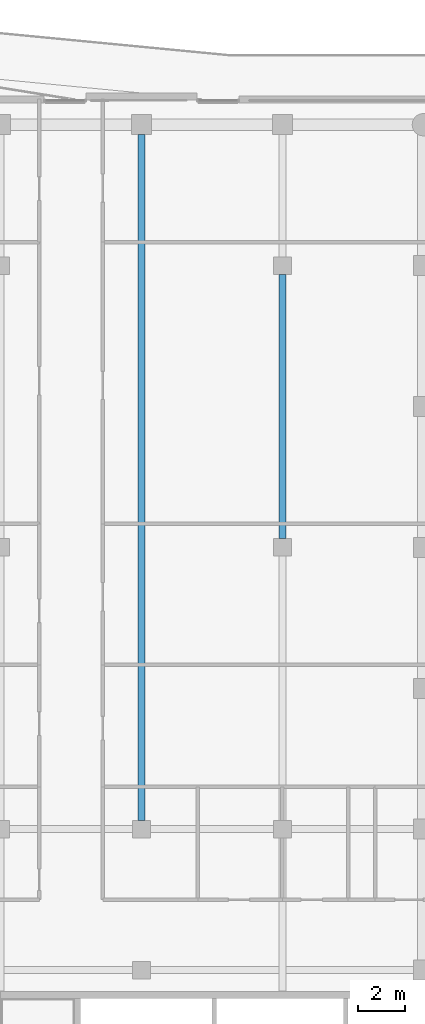
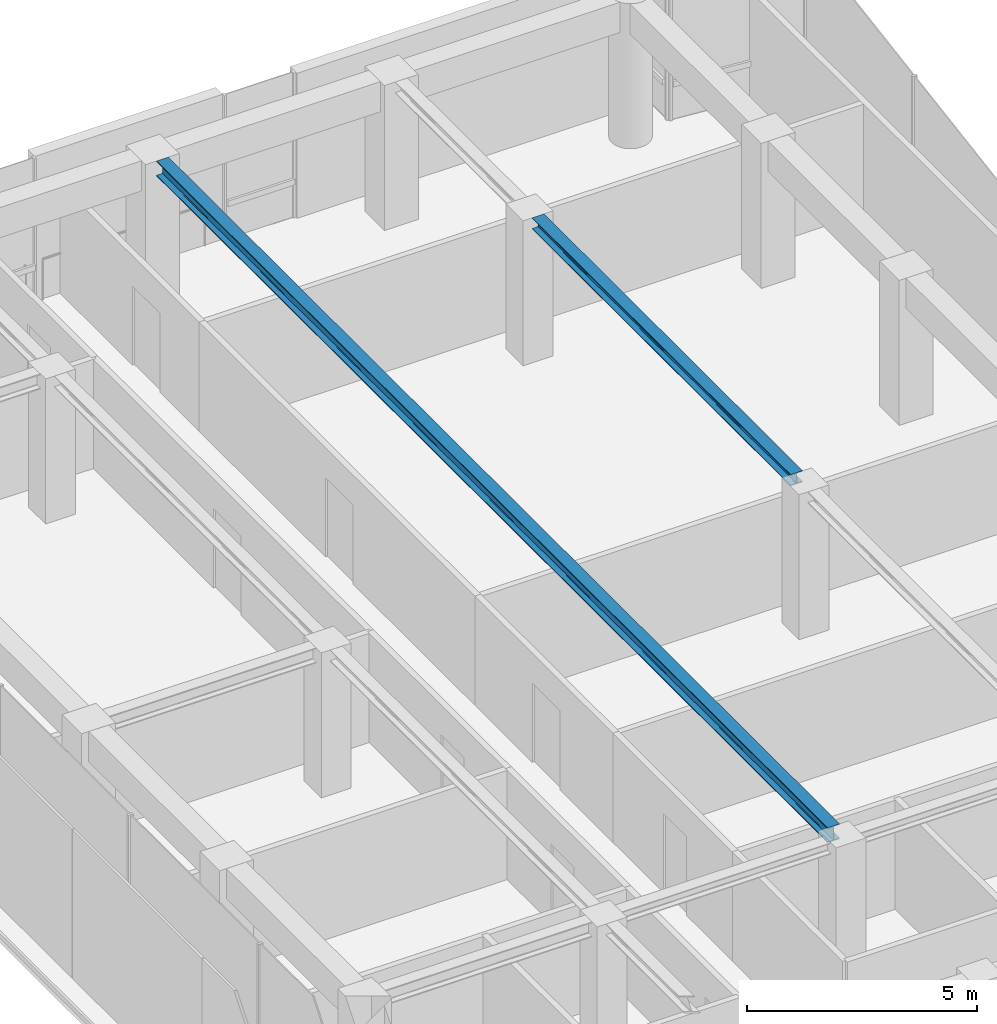
# One storey, part 12 of 25: 2 beams.
"""IFC4 building model written with IfcOpenShell, lengths in metres."""

from ifc_helpers import new_model, si_unit, direction, frame, origin, origin_2d, place, context, subcontext, project, spatial, i_section, extrude, material, material_profile, profile_set, type_object, element, save


model = new_model("IFC4")

# Units and contexts
model_context = context("Model", 3, precision=1e-05, world=origin(), true_north=direction((0.0, 1.0)))
body_context = subcontext(model_context, "Body", "Model", "MODEL_VIEW")
ifc_project = project(units=[si_unit("LENGTHUNIT", "METRE"), si_unit("AREAUNIT", "SQUARE_METRE"), si_unit("VOLUMEUNIT", "CUBIC_METRE"), si_unit("PLANEANGLEUNIT", "RADIAN"), si_unit("MASSUNIT", "GRAM", prefix="KILO")], contexts=[model_context])

# Site, building, storey
site_placement = place(None, origin())
site = spatial("IfcSite", under=ifc_project, at=site_placement, CompositionType="ELEMENT")
building_placement = place(site_placement, origin())
building = spatial("IfcBuilding", under=site, at=building_placement, Name="Welwitschia Terrace Campus", CompositionType="ELEMENT")
storey_placement = place(building_placement, frame((0.0, 0.0, 264.199951171875)))
storey = spatial("IfcBuildingStorey", under=building, at=storey_placement, Name="L58", CompositionType="ELEMENT", Elevation=264.199951171875)

# Beams
ifc_material_1 = material(Name="Steel S355", Category="steel")
ifc_material_profile_1 = material_profile(ifc_material_1, i_section(OverallWidth=0.300048828125, OverallDepth=0.300048828125, WebThickness=0.010986328125, FlangeThickness=0.01904296875, FilletRadius=0.027099609375, at=origin_2d()))
ifc_profile_set_1 = profile_set([ifc_material_profile_1], Name="Steel S355")
beam_type_1 = type_object("IfcBeamType", Name="Interior girder HE 300 B", PredefinedType="BEAM", material=ifc_profile_set_1)
beam_1_placement = place(storey_placement, frame((18.0, 44.37548828125, 3.699951171875), z_axis=(0.0, 1.0, 0.0), x_axis=(-1.0, 0.0, 0.0)))
element("IfcBeam", 1, at=beam_1_placement, inside=storey, type_object=beam_type_1, Name="Girder GB6", PredefinedType="BEAM", context=body_context, shape_type="SweptSolid", body=[
    extrude(i_section(OverallWidth=0.300048828125, OverallDepth=0.300048828125, WebThickness=0.010986328125, FlangeThickness=0.01904296875, FilletRadius=0.027099609375, at=origin_2d()), origin(), (0.0, 0.0, 1.0), 11.2490234375),
])
ifc_material_2 = material(Name="Steel S355", Category="steel")
ifc_material_profile_2 = material_profile(ifc_material_2, i_section(OverallWidth=0.300048828125, OverallDepth=0.39990234375, WebThickness=0.013427734375, FlangeThickness=0.02392578125, FilletRadius=0.027099609375, at=origin_2d()))
ifc_profile_set_2 = profile_set([ifc_material_profile_2], Name="Steel S355")
beam_type_2 = type_object("IfcBeamType", Name="Primary beam HE 400 B", PredefinedType="BEAM", material=ifc_profile_set_2)
beam_2_placement = place(storey_placement, frame((12.0, 61.574462890625, 3.650146484375), z_axis=(0.0, -1.0, 0.0), x_axis=(1.0, 0.0, 0.0)))
element("IfcBeam", 2, at=beam_2_placement, inside=storey, type_object=beam_type_2, Name="Primary beam PB6", PredefinedType="BEAM", context=body_context, shape_type="SweptSolid", body=[
    extrude(i_section(OverallWidth=0.300048828125, OverallDepth=0.39990234375, WebThickness=0.013427734375, FlangeThickness=0.02392578125, FilletRadius=0.027099609375, at=origin_2d()), origin(), (0.0, 0.0, 1.0), 29.198974609375),
])

save(model, "model.ifc")
